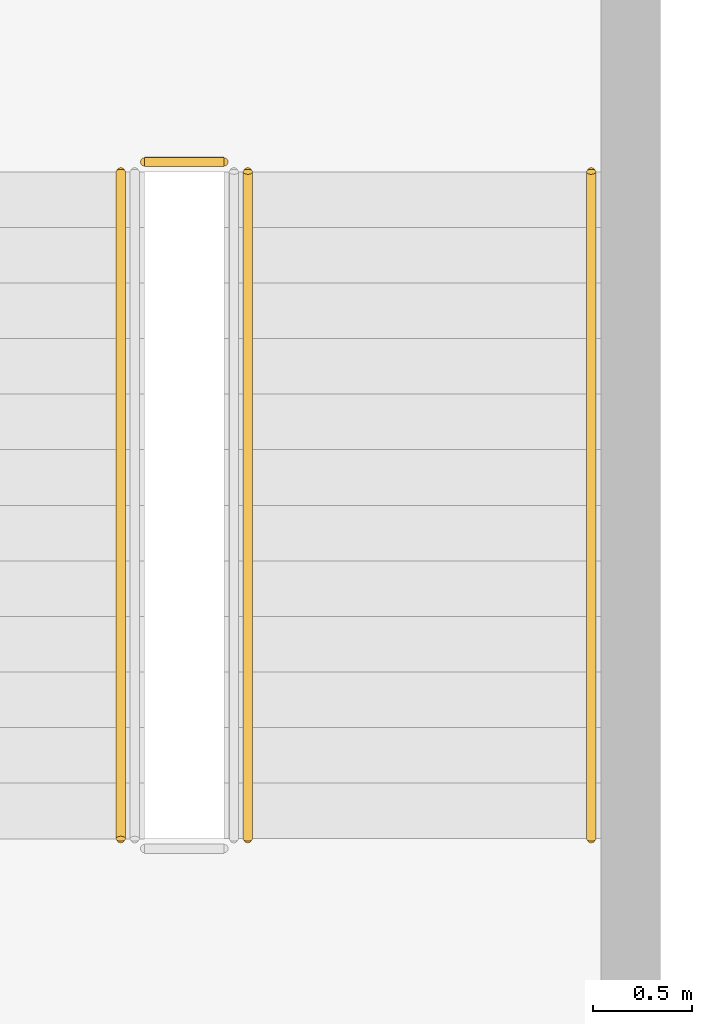
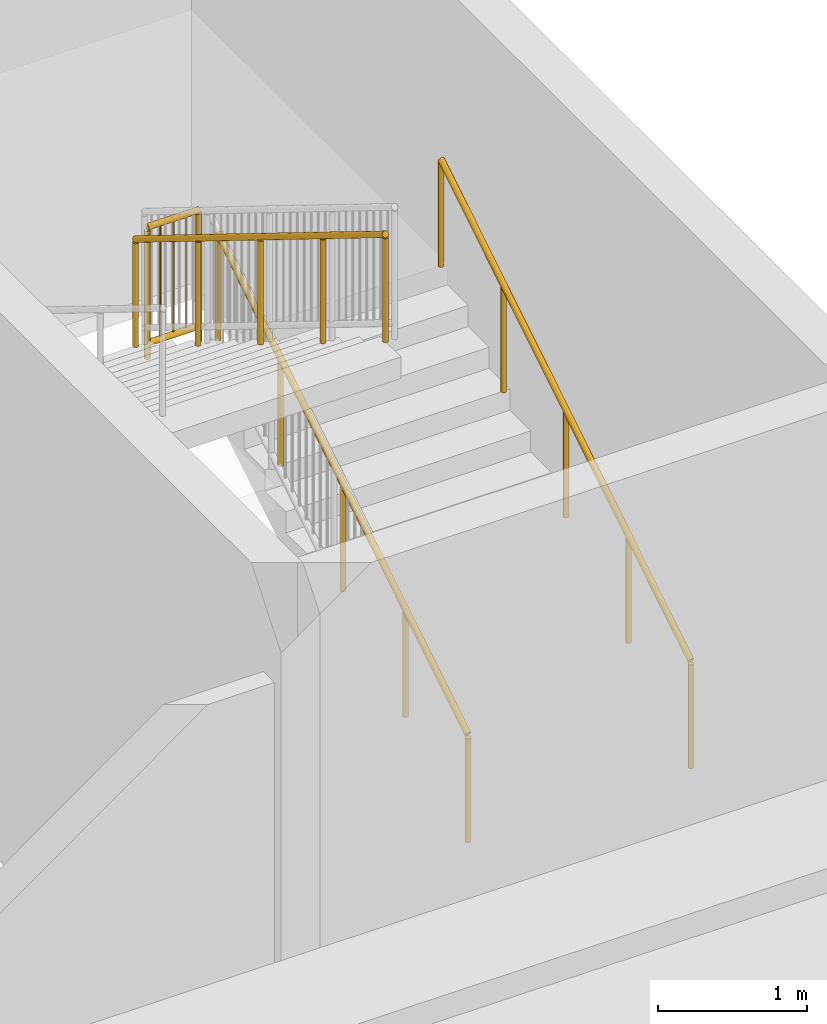
# One storey, part 74 of 74: 4 railings.
"""IFC4 building model written with IfcOpenShell, lengths in metres."""

from ifc_helpers import new_model, si_unit, direction, frame, origin, origin_2d, place, context, subcontext, project, spatial, circle, extrude, material, type_object, element, save


model = new_model("IFC4")

# Units and contexts
model_context = context("Model", 3, precision=1e-05, world=origin(), true_north=direction((0.0, 1.0)))
body_context = subcontext(model_context, "Body", "Model", "MODEL_VIEW")
ifc_project = project(units=[si_unit("LENGTHUNIT", "METRE"), si_unit("AREAUNIT", "SQUARE_METRE"), si_unit("VOLUMEUNIT", "CUBIC_METRE"), si_unit("PLANEANGLEUNIT", "RADIAN"), si_unit("MASSUNIT", "GRAM", prefix="KILO")], contexts=[model_context])

# Site, building, storey
site_placement = place(None, origin())
site = spatial("IfcSite", under=ifc_project, at=site_placement, CompositionType="ELEMENT")
building_placement = place(site_placement, origin())
building = spatial("IfcBuilding", under=site, at=building_placement, Name="Hortulan Conservatory and Botanical Research Centre", CompositionType="ELEMENT")
storey_placement = place(building_placement, frame((0.0, 0.0, 6.0)))
storey = spatial("IfcBuildingStorey", under=building, at=storey_placement, Name="L01", CompositionType="ELEMENT", Elevation=6.0)

# Railings
ifc_material_1 = material(Name="Steel balustrade, bronze-charcoal paint", Category="steel")
railing_type_1 = type_object("IfcRailingType", Name="Stair Guard 1100", PredefinedType="GUARDRAIL", material=ifc_material_1)
railing_1_placement = place(storey_placement, frame((105.949951171875, 68.4599609375, 2.25)))
element("IfcRailing", 1, at=railing_1_placement, inside=storey, type_object=railing_type_1, Name="Guard A3 L01 stair 2", PredefinedType="GUARDRAIL", context=body_context, shape_type="SweptSolid", body=[
    extrude(circle(Radius=0.02392578125, at=origin_2d()), frame((0.0, 0.0, 1.076171875), z_axis=(-1.0, 0.0, 0.0), x_axis=(0.0, -1.0, 0.0)), (0.0, 0.0, 1.0), 0.39990234375),
    extrude(circle(Radius=0.02392578125, at=origin_2d()), frame((0.0, 0.0, 0.1240234375), z_axis=(-1.0, 0.0, 0.0), x_axis=(0.0, -1.0, 0.0)), (0.0, 0.0, 1.0), 0.39990234375),
    extrude(circle(Radius=0.008056640625, at=origin_2d()), frame((-0.10009765625, 0.0, 0.148193359375)), (0.0, 0.0, 1.0), 0.90380859375),
    extrude(circle(Radius=0.008056640625, at=origin_2d()), frame((-0.199951171875, 0.0, 0.148193359375)), (0.0, 0.0, 1.0), 0.90380859375),
    extrude(circle(Radius=0.008056640625, at=origin_2d()), frame((-0.2998046875, 0.0, 0.148193359375)), (0.0, 0.0, 1.0), 0.90380859375),
    extrude(circle(Radius=0.02099609375, at=origin_2d()), origin(), (0.0, 0.0, 1.0), 1.052001953125),
    extrude(circle(Radius=0.02099609375, at=origin_2d()), frame((-0.39990234375, 0.0, 0.0)), (0.0, 0.0, 1.0), 1.052001953125),
])
ifc_material_2 = material(Name="Bronze handrail, polished", Category="metal")
railing_type_2 = type_object("IfcRailingType", Name="Stair Handrail 900", PredefinedType="HANDRAIL", material=ifc_material_2)
for number, where, name in (
    (2, (107.800048828125, 65.050048828125, 0.173095703125), "Handrail A3 L01 stair 1"),
    (3, (106.070068359375, 65.050048828125, 0.173095703125), "Handrail A3 L01 stair 3"),
):
    element("IfcRailing", number, at=place(storey_placement, frame(where)), inside=storey, type_object=railing_type_2, Name=name, PredefinedType="HANDRAIL", context=body_context, shape_type="SweptSolid", body=[
        extrude(circle(Radius=0.02392578125, at=origin_2d()), frame((0.0, 0.0, 0.8759765625), z_axis=(0.0, 0.850606129759, 0.525803396734), x_axis=(-1.0, 0.0, 0.0)), (0.0, 0.0, 1.0), 3.949951171875),
        extrude(circle(Radius=0.02099609375, at=origin_2d()), origin(), (0.0, 0.0, 1.0), 0.851806640625),
        extrude(circle(Radius=0.02099609375, at=origin_2d()), frame((0.0, 0.83984375, 0.519287109375)), (0.0, 0.0, 1.0), 0.851806640625),
        extrude(circle(Radius=0.02099609375, at=origin_2d()), frame((0.0, 1.679931640625, 1.03857421875)), (0.0, 0.0, 1.0), 0.851806640625),
        extrude(circle(Radius=0.02099609375, at=origin_2d()), frame((0.0, 2.52001953125, 1.5576171875)), (0.0, 0.0, 1.0), 0.851806640625),
        extrude(circle(Radius=0.02099609375, at=origin_2d()), frame((0.0, 3.35986328125, 2.076904296875)), (0.0, 0.0, 1.0), 0.851806640625),
    ])
railing_2_placement = place(storey_placement, frame((105.429931640625, 68.409912109375, 2.423095703125)))
element("IfcRailing", 4, at=railing_2_placement, inside=storey, type_object=railing_type_2, Name="Handrail A3 L01 stair 4", PredefinedType="HANDRAIL", context=body_context, shape_type="SweptSolid", body=[
    extrude(circle(Radius=0.02392578125, at=origin_2d()), frame((0.0, 0.0, 0.8759765625), z_axis=(0.0, -0.850606129759, 0.525803396734), x_axis=(1.0, 0.0, 0.0)), (0.0, 0.0, 1.0), 3.949951171875),
    extrude(circle(Radius=0.02099609375, at=origin_2d()), origin(), (0.0, 0.0, 1.0), 0.851806640625),
    extrude(circle(Radius=0.02099609375, at=origin_2d()), frame((0.0, -0.83984375, 0.519287109375)), (0.0, 0.0, 1.0), 0.851806640625),
    extrude(circle(Radius=0.02099609375, at=origin_2d()), frame((0.0, -1.679931640625, 1.03857421875)), (0.0, 0.0, 1.0), 0.851806640625),
    extrude(circle(Radius=0.02099609375, at=origin_2d()), frame((0.0, -2.52001953125, 1.5576171875)), (0.0, 0.0, 1.0), 0.851806640625),
    extrude(circle(Radius=0.02099609375, at=origin_2d()), frame((0.0, -3.35986328125, 2.076904296875)), (0.0, 0.0, 1.0), 0.851806640625),
])

save(model, "model.ifc")
